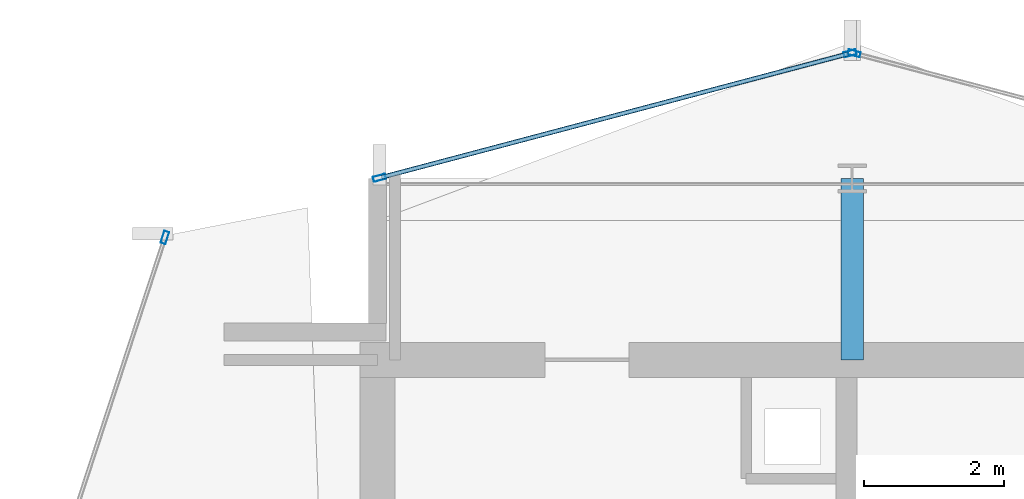
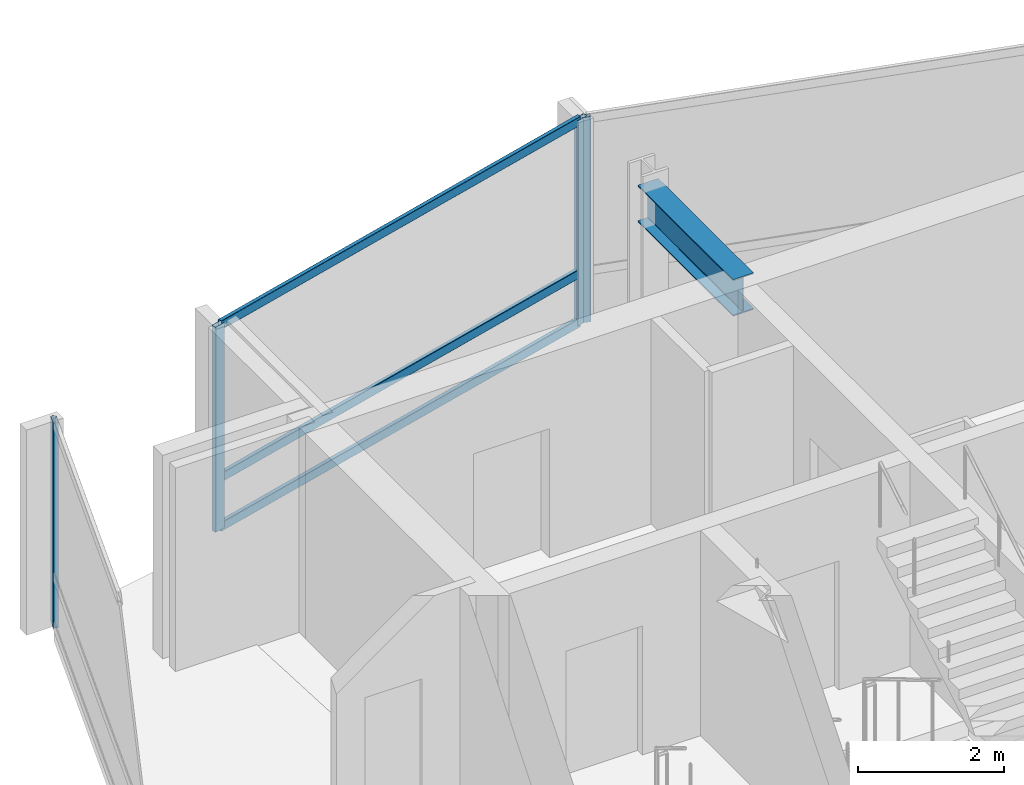
# One storey, part 16 of 27: 7 members, 1 beam, 3 elements without a shape of their own.
"""IFC4 building model written with IfcOpenShell, lengths in metres."""

from ifc_helpers import new_model, si_unit, direction, frame, origin, origin_2d, place, context, subcontext, project, spatial, hollow_rectangle, i_section, extrude, material, layer, layer_set, material_profile, profile_set, type_object, element, aggregate, save


model = new_model("IFC4")

# Units and contexts
model_context = context("Model", 3, precision=1e-05, world=origin(), true_north=direction((0.0, 1.0)))
body_context = subcontext(model_context, "Body", "Model", "MODEL_VIEW")
ifc_project = project(units=[si_unit("LENGTHUNIT", "METRE"), si_unit("AREAUNIT", "SQUARE_METRE"), si_unit("VOLUMEUNIT", "CUBIC_METRE"), si_unit("PLANEANGLEUNIT", "RADIAN"), si_unit("MASSUNIT", "GRAM", prefix="KILO")], contexts=[model_context])

# Site, building, storey
site_placement = place(None, origin())
site = spatial("IfcSite", under=ifc_project, at=site_placement, CompositionType="ELEMENT")
building_placement = place(site_placement, origin())
building = spatial("IfcBuilding", under=site, at=building_placement, Name="Solvaryn Broadcast Tower", CompositionType="ELEMENT")
storey_placement = place(building_placement, frame((0.0, 0.0, 181.60009765625)))
storey = spatial("IfcBuildingStorey", under=building, at=storey_placement, Name="L45", CompositionType="ELEMENT", Elevation=181.60009765625)

# Beam
ifc_material_1 = material(Name="Steel ASTM A992 Grade 50", Category="steel")
ifc_material_profile_1 = material_profile(ifc_material_1, i_section(OverallWidth=0.323974609375, OverallDepth=0.611083984375, WebThickness=0.0126953125, FlangeThickness=0.01904296875, FilletRadius=0.014892578125, at=origin_2d()))
ifc_profile_set_1 = profile_set([ifc_material_profile_1], Name="Steel ASTM A992 Grade 50")
beam_type = type_object("IfcBeamType", Name="BM-B1-W24X104", PredefinedType="BEAM", material=ifc_profile_set_1)
beam_placement = place(storey_placement, frame((18.0, 42.39990234375, 3.114501953125), z_axis=(0.0, 1.0, 0.0), x_axis=(-1.0, 0.0, 0.0)))
element("IfcBeam", 1, at=beam_placement, inside=storey, type_object=beam_type, Name="L45 Core Tie Beam CTW3", PredefinedType="BEAM", context=body_context, shape_type="SweptSolid", body=[
    extrude(i_section(OverallWidth=0.323974609375, OverallDepth=0.611083984375, WebThickness=0.0126953125, FlangeThickness=0.01904296875, FilletRadius=0.014892578125, at=origin_2d()), origin(), (0.0, 0.0, 1.0), 2.60009765625),
])

# Curtain wall, member
ifc_material_2 = material(Name="Aluminium and Terracotta Unitised Curtain Wall", Category="masonry")
ifc_layer = layer(ifc_material_2, 0.199951171875)
ifc_layer_set = layer_set([ifc_layer], Name="CW-SYS2-LOWMID")
curtain_wall_type = type_object("IfcCurtainWallType", Name="CW-SYS2-LOWMID", PredefinedType="NOTDEFINED", material=ifc_layer_set)
curtain_wall_1_placement = place(storey_placement, origin())
curtain_wall_1 = element("IfcCurtainWall", 2, at=curtain_wall_1_placement, inside=storey, type_object=curtain_wall_type, Name="L45 Curtain Wall DR1", PredefinedType="NOTDEFINED")
ifc_material_3 = material(Name="Anodised Aluminium 6063-T6", Category="aluminium")
ifc_material_profile_2 = material_profile(ifc_material_3, hollow_rectangle(XDim=0.074951171875, YDim=0.179931640625, WallThickness=0.00390625, InnerFilletRadius=0.00390625, OuterFilletRadius=0.008056640625, at=origin_2d()))
ifc_profile_set_2 = profile_set([ifc_material_profile_2], Name="Anodised Aluminium 6063-T6")
member_type_1 = type_object("IfcMemberType", Name="CW-MUL-180", PredefinedType="MULLION", material=ifc_profile_set_2)
member_1_placement = place(storey_placement, frame((8.153564453125, 44.153564453125, 0.0), z_axis=(0.0, 0.0, 1.0), x_axis=(0.950226902099, -0.311558717623, 0.0)))
member_1 = element("IfcMember", 3, at=member_1_placement, type_object=member_type_1, Name="CWS2 mullion 1", PredefinedType="MULLION", context=body_context, shape_type="SweptSolid", body=[
    extrude(hollow_rectangle(XDim=0.074951171875, YDim=0.179931640625, WallThickness=0.00390625, InnerFilletRadius=0.00390625, OuterFilletRadius=0.008056640625, at=origin_2d()), origin(), (0.0, 0.0, 1.0), 3.419921875),
])
aggregate(curtain_wall_1, [member_1])

curtain_wall_2_placement = place(storey_placement, origin())
curtain_wall_2 = element("IfcCurtainWall", 4, at=curtain_wall_2_placement, inside=storey, type_object=curtain_wall_type, Name="L45 Curtain Wall NT1", PredefinedType="NOTDEFINED")
member_2_placement = place(storey_placement, frame((18.029052734375, 46.792236328125, 0.0), z_axis=(0.0, 0.0, 1.0), x_axis=(-0.25589256031, -0.966705227863, 0.0)))
member_2 = element("IfcMember", 5, at=member_2_placement, type_object=member_type_1, Name="CWS2 mullion 2", PredefinedType="MULLION", context=body_context, shape_type="SweptSolid", body=[
    extrude(hollow_rectangle(XDim=0.074951171875, YDim=0.179931640625, WallThickness=0.00390625, InnerFilletRadius=0.00390625, OuterFilletRadius=0.008056640625, at=origin_2d()), origin(), (0.0, 0.0, 1.0), 3.419921875),
])
aggregate(curtain_wall_2, [member_2])

# Curtain wall, members
curtain_wall_3_placement = place(storey_placement, origin())
curtain_wall_3 = element("IfcCurtainWall", 6, at=curtain_wall_3_placement, inside=storey, type_object=curtain_wall_type, Name="L45 Curtain Wall NT2", PredefinedType="NOTDEFINED")
member_3_placement = place(storey_placement, frame((17.970947265625, 46.792236328125, 0.0), z_axis=(0.0, 0.0, 1.0), x_axis=(0.25589256031, -0.966705227863, 0.0)))
member_3 = element("IfcMember", 7, at=member_3_placement, type_object=member_type_1, Name="CWS2 mullion 1", PredefinedType="MULLION", context=body_context, shape_type="SweptSolid", body=[
    extrude(hollow_rectangle(XDim=0.074951171875, YDim=0.179931640625, WallThickness=0.00390625, InnerFilletRadius=0.00390625, OuterFilletRadius=0.008056640625, at=origin_2d()), origin(), (0.0, 0.0, 1.0), 3.419921875),
])
member_4_placement = place(storey_placement, frame((11.22900390625, 45.007568359375, 0.0), z_axis=(0.0, 0.0, 1.0), x_axis=(0.25589256031, -0.966705227863, 0.0)))
member_4 = element("IfcMember", 8, at=member_4_placement, type_object=member_type_1, Name="CWS2 mullion 2", PredefinedType="MULLION", context=body_context, shape_type="SweptSolid", body=[
    extrude(hollow_rectangle(XDim=0.074951171875, YDim=0.179931640625, WallThickness=0.00390625, InnerFilletRadius=0.00390625, OuterFilletRadius=0.008056640625, at=origin_2d()), origin(), (0.0, 0.0, 1.0), 3.419921875),
])
ifc_material_4 = material(Name="Anodised Aluminium 6063-T6", Category="aluminium")
ifc_material_profile_3 = material_profile(ifc_material_4, hollow_rectangle(XDim=0.06494140625, YDim=0.14990234375, WallThickness=0.00390625, InnerFilletRadius=0.00390625, OuterFilletRadius=0.008056640625, at=origin_2d()))
ifc_profile_set_3 = profile_set([ifc_material_profile_3], Name="Anodised Aluminium 6063-T6")
member_type_2 = type_object("IfcMemberType", Name="CW-TRN-150", PredefinedType="USERDEFINED", material=ifc_profile_set_3)
member_5_placement = place(storey_placement, frame((17.94189453125, 46.78466796875, 0.02978515625), z_axis=(-0.966703943301, -0.255897413051, 0.0), x_axis=(0.255897413051, -0.966703943301, 0.0)))
member_5 = element("IfcMember", 9, at=member_5_placement, type_object=member_type_2, Name="CWS2 transom 1.1", ObjectType="TRANSOM", PredefinedType="USERDEFINED", context=body_context, shape_type="SweptSolid", body=[
    extrude(hollow_rectangle(XDim=0.06494140625, YDim=0.14990234375, WallThickness=0.00390625, InnerFilletRadius=0.00390625, OuterFilletRadius=0.008056640625, at=origin_2d()), origin(), (0.0, 0.0, 1.0), 6.9140625),
])
member_6_placement = place(storey_placement, frame((17.94189453125, 46.78466796875, 0.849853515625), z_axis=(-0.966703943301, -0.255897413051, 0.0), x_axis=(0.255897413051, -0.966703943301, 0.0)))
member_6 = element("IfcMember", 10, at=member_6_placement, type_object=member_type_2, Name="CWS2 transom 1.2", ObjectType="TRANSOM", PredefinedType="USERDEFINED", context=body_context, shape_type="SweptSolid", body=[
    extrude(hollow_rectangle(XDim=0.06494140625, YDim=0.14990234375, WallThickness=0.00390625, InnerFilletRadius=0.00390625, OuterFilletRadius=0.008056640625, at=origin_2d()), origin(), (0.0, 0.0, 1.0), 6.9140625),
])
member_7_placement = place(storey_placement, frame((17.94189453125, 46.78466796875, 3.389892578125), z_axis=(-0.966703943301, -0.255897413051, 0.0), x_axis=(0.255897413051, -0.966703943301, 0.0)))
member_7 = element("IfcMember", 11, at=member_7_placement, type_object=member_type_2, Name="CWS2 transom 1.3", ObjectType="TRANSOM", PredefinedType="USERDEFINED", context=body_context, shape_type="SweptSolid", body=[
    extrude(hollow_rectangle(XDim=0.06494140625, YDim=0.14990234375, WallThickness=0.00390625, InnerFilletRadius=0.00390625, OuterFilletRadius=0.008056640625, at=origin_2d()), origin(), (0.0, 0.0, 1.0), 6.9140625),
])
aggregate(curtain_wall_3, [member_3, member_4, member_5, member_6, member_7])

save(model, "model.ifc")
